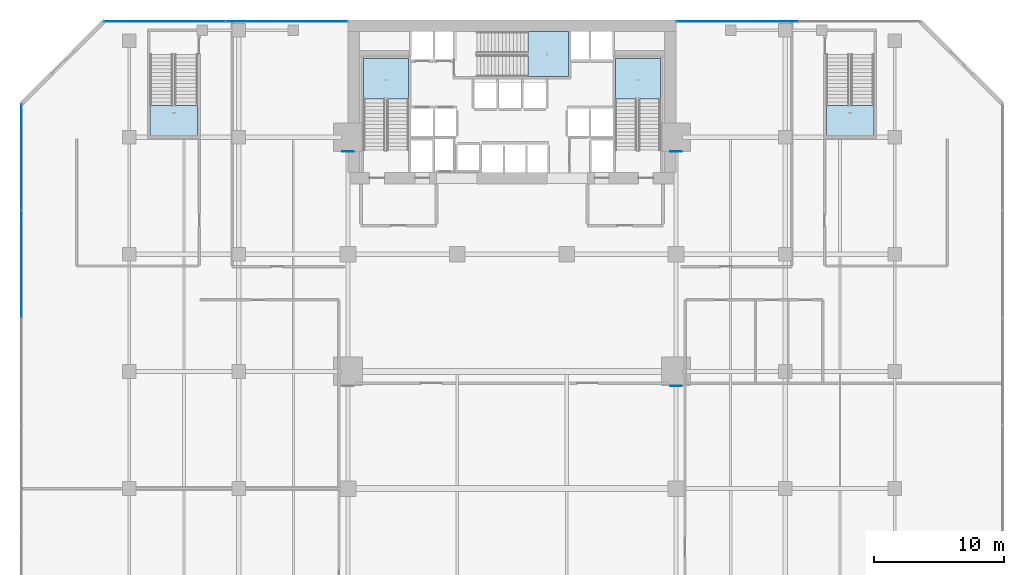
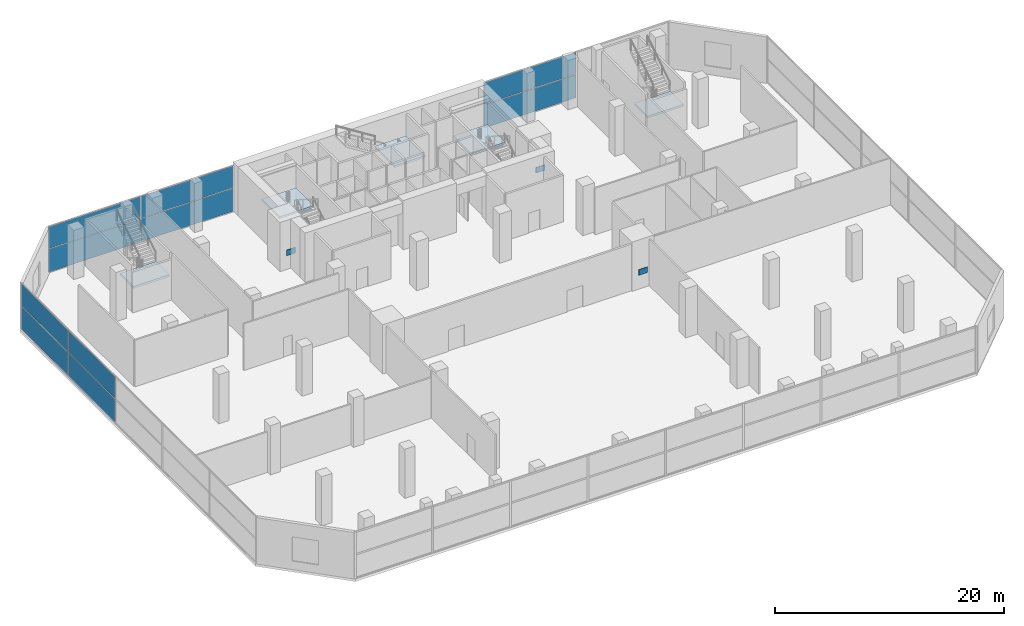
# One storey, part 33 of 40: 13 plates, 5 slabs, 8 elements without a shape of their own.
"""IFC4 building model written with IfcOpenShell, lengths in metres."""

from ifc_helpers import new_model, si_unit, direction, frame, origin, origin_2d, place, context, subcontext, project, spatial, polyline, rectangle, outline, extrude, material, layer, layer_set, type_object, element, aggregate, save


model = new_model("IFC4")

# Units and contexts
model_context = context("Model", 3, precision=1e-05, world=origin(), true_north=direction((0.0, 1.0)))
body_context = subcontext(model_context, "Body", "Model", "MODEL_VIEW")
ifc_project = project(units=[si_unit("LENGTHUNIT", "METRE"), si_unit("AREAUNIT", "SQUARE_METRE"), si_unit("VOLUMEUNIT", "CUBIC_METRE"), si_unit("PLANEANGLEUNIT", "RADIAN"), si_unit("MASSUNIT", "GRAM", prefix="KILO")], contexts=[model_context])

# Site, building, storey
site_placement = place(None, origin())
site = spatial("IfcSite", under=ifc_project, at=site_placement, CompositionType="ELEMENT")
building_placement = place(site_placement, origin())
building = spatial("IfcBuilding", under=site, at=building_placement, Name="Maruvema Waterfront Hotel and Observation Tower", CompositionType="ELEMENT")
storey_placement = place(building_placement, frame((0.0, 0.0, 5.60009765625)))
storey = spatial("IfcBuildingStorey", under=building, at=storey_placement, Name="L01", CompositionType="ELEMENT", Elevation=5.60009765625)

# Curtain wall, plates
ifc_material_1 = material(Name="Anodised bronze aluminium and solar-control low-E IGU", Category="aluminium")
ifc_layer_1 = layer(ifc_material_1, 0.159912109375, Name="Podium Waterfront Storefront Curtain Wall System CW-01")
ifc_layer_set_1 = layer_set([ifc_layer_1], Name="Anodised bronze aluminium and solar-control low-E IGU")
curtain_wall_type = type_object("IfcCurtainWallType", Name="Podium Waterfront Storefront Curtain Wall System CW-01", PredefinedType="USERDEFINED", material=ifc_layer_set_1)
curtain_wall_1_placement = place(storey_placement, origin())
curtain_wall_1 = element("IfcCurtainWall", 1, at=curtain_wall_1_placement, inside=storey, type_object=curtain_wall_type, Name="L01 Curtain Wall CW-L01-NE", ObjectType="UNITISED CURTAIN WALL", PredefinedType="USERDEFINED")
ifc_material_2 = material(Name="Laminated low-E solar-control double glazing", Category="glass")
ifc_layer_2 = layer(ifc_material_2, 0.035888671875, Name="Solar Control Double-Glazed Curtain Panel 36 mm")
ifc_layer_set_2 = layer_set([ifc_layer_2], Name="Laminated low-E solar-control double glazing")
plate_type_1 = type_object("IfcPlateType", Name="Solar Control Double-Glazed Curtain Panel 36 mm", PredefinedType="CURTAIN_PANEL", material=ifc_layer_set_2)
plate_1_placement = place(storey_placement, frame((55.114990234375, 53.8798828125, 0.059814453125), z_axis=(0.0, 0.0, 1.0), x_axis=(-1.0, 0.0, 0.0)))
plate_1 = element("IfcPlate", 2, at=plate_1_placement, type_object=plate_type_1, Name="CW-01 panel 2.1", PredefinedType="CURTAIN_PANEL", context=body_context, shape_type="SweptSolid", body=[
    extrude(rectangle(XDim=9.31005859375, YDim=0.028076171875, at=origin_2d()), origin(), (0.0, 0.0, 1.0), 2.4599609375),
])
plate_2_placement = place(storey_placement, frame((55.114990234375, 53.8798828125, 2.579833984375), z_axis=(0.0, 0.0, 1.0), x_axis=(-1.0, 0.0, 0.0)))
plate_2 = element("IfcPlate", 3, at=plate_2_placement, type_object=plate_type_1, Name="CW-01 panel 2.2", PredefinedType="CURTAIN_PANEL", context=body_context, shape_type="SweptSolid", body=[
    extrude(rectangle(XDim=9.31005859375, YDim=0.028076171875, at=origin_2d()), origin(), (0.0, 0.0, 1.0), 2.330078125),
])
aggregate(curtain_wall_1, [plate_1, plate_2])

curtain_wall_2_placement = place(storey_placement, origin())
curtain_wall_2 = element("IfcCurtainWall", 4, at=curtain_wall_2_placement, inside=storey, type_object=curtain_wall_type, Name="L01 Curtain Wall CW-L01-NW", ObjectType="UNITISED CURTAIN WALL", PredefinedType="USERDEFINED")
plate_3_placement = place(storey_placement, frame((20.485107421875, 53.8798828125, 0.059814453125), z_axis=(0.0, 0.0, 1.0), x_axis=(-1.0, 0.0, 0.0)))
plate_3 = element("IfcPlate", 5, at=plate_3_placement, type_object=plate_type_1, Name="CW-01 panel 1.1", PredefinedType="CURTAIN_PANEL", context=body_context, shape_type="SweptSolid", body=[
    extrude(rectangle(XDim=9.31005859375, YDim=0.028076171875, at=origin_2d()), origin(), (0.0, 0.0, 1.0), 2.4599609375),
])
plate_4_placement = place(storey_placement, frame((20.485107421875, 53.8798828125, 2.579833984375), z_axis=(0.0, 0.0, 1.0), x_axis=(-1.0, 0.0, 0.0)))
plate_4 = element("IfcPlate", 6, at=plate_4_placement, type_object=plate_type_1, Name="CW-01 panel 1.2", PredefinedType="CURTAIN_PANEL", context=body_context, shape_type="SweptSolid", body=[
    extrude(rectangle(XDim=9.31005859375, YDim=0.028076171875, at=origin_2d()), origin(), (0.0, 0.0, 1.0), 2.330078125),
])
plate_5_placement = place(storey_placement, frame((11.114990234375, 53.8798828125, 0.059814453125), z_axis=(0.0, 0.0, 1.0), x_axis=(-1.0, 0.0, 0.0)))
plate_5 = element("IfcPlate", 7, at=plate_5_placement, type_object=plate_type_1, Name="CW-01 panel 2.1", PredefinedType="CURTAIN_PANEL", context=body_context, shape_type="SweptSolid", body=[
    extrude(rectangle(XDim=9.31005859375, YDim=0.028076171875, at=origin_2d()), origin(), (0.0, 0.0, 1.0), 2.4599609375),
])
plate_6_placement = place(storey_placement, frame((11.114990234375, 53.8798828125, 2.579833984375), z_axis=(0.0, 0.0, 1.0), x_axis=(-1.0, 0.0, 0.0)))
plate_6 = element("IfcPlate", 8, at=plate_6_placement, type_object=plate_type_1, Name="CW-01 panel 2.2", PredefinedType="CURTAIN_PANEL", context=body_context, shape_type="SweptSolid", body=[
    extrude(rectangle(XDim=9.31005859375, YDim=0.028076171875, at=origin_2d()), origin(), (0.0, 0.0, 1.0), 2.330078125),
])
aggregate(curtain_wall_2, [plate_3, plate_4, plate_5, plate_6])

curtain_wall_3_placement = place(storey_placement, origin())
curtain_wall_3 = element("IfcCurtainWall", 9, at=curtain_wall_3_placement, inside=storey, type_object=curtain_wall_type, Name="L01 Curtain Wall CW-L01-W", ObjectType="UNITISED CURTAIN WALL", PredefinedType="USERDEFINED")
plate_7_placement = place(storey_placement, frame((0.1201171875, 43.465087890625, 0.059814453125), z_axis=(0.0, 0.0, 1.0), x_axis=(0.0, -1.0, 0.0)))
plate_7 = element("IfcPlate", 10, at=plate_7_placement, type_object=plate_type_1, Name="CW-01 panel 1.1", PredefinedType="CURTAIN_PANEL", context=body_context, shape_type="SweptSolid", body=[
    extrude(rectangle(XDim=8.14990234375, YDim=0.028076171875, at=origin_2d()), origin(), (0.0, 0.0, 1.0), 2.4599609375),
])
plate_8_placement = place(storey_placement, frame((0.1201171875, 43.465087890625, 2.579833984375), z_axis=(0.0, 0.0, 1.0), x_axis=(0.0, -1.0, 0.0)))
plate_8 = element("IfcPlate", 11, at=plate_8_placement, type_object=plate_type_1, Name="CW-01 panel 1.2", PredefinedType="CURTAIN_PANEL", context=body_context, shape_type="SweptSolid", body=[
    extrude(rectangle(XDim=8.14990234375, YDim=0.028076171875, at=origin_2d()), origin(), (0.0, 0.0, 1.0), 2.330078125),
])
plate_9_placement = place(storey_placement, frame((0.1201171875, 35.239990234375, 0.059814453125), z_axis=(0.0, 0.0, 1.0), x_axis=(0.0, -1.0, 0.0)))
plate_9 = element("IfcPlate", 12, at=plate_9_placement, type_object=plate_type_1, Name="CW-01 panel 2.1", PredefinedType="CURTAIN_PANEL", context=body_context, shape_type="SweptSolid", body=[
    extrude(rectangle(XDim=8.179931640625, YDim=0.028076171875, at=origin_2d()), origin(), (0.0, 0.0, 1.0), 2.4599609375),
])
plate_10_placement = place(storey_placement, frame((0.1201171875, 35.239990234375, 2.579833984375), z_axis=(0.0, 0.0, 1.0), x_axis=(0.0, -1.0, 0.0)))
plate_10 = element("IfcPlate", 13, at=plate_10_placement, type_object=plate_type_1, Name="CW-01 panel 2.2", PredefinedType="CURTAIN_PANEL", context=body_context, shape_type="SweptSolid", body=[
    extrude(rectangle(XDim=8.179931640625, YDim=0.028076171875, at=origin_2d()), origin(), (0.0, 0.0, 1.0), 2.330078125),
])
aggregate(curtain_wall_3, [plate_7, plate_8, plate_9, plate_10])

# Stair, slab
ifc_material_3 = material(Name="Concrete C50/60", Category="concrete")
stair_type_1 = type_object("IfcStairType", Name="Dogleg Exit Stair 1650 mm (30R x 175.0 mm)", PredefinedType="HALF_TURN_STAIR", material=ifc_material_3)
stair_1_placement = place(storey_placement, origin())
stair_1 = element("IfcStair", 14, at=stair_1_placement, inside=storey, type_object=stair_type_1, Name="L01 ST-01", PredefinedType="HALF_TURN_STAIR")
ifc_material_4 = material(Name="Concrete C50/60", Category="concrete")
ifc_layer_3 = layer(ifc_material_4, 0.219970703125, Name="Stair Concrete Landing Slab 220 mm")
ifc_layer_set_3 = layer_set([ifc_layer_3], Name="Concrete C50/60")
slab_type = type_object("IfcSlabType", Name="Stair Concrete Landing Slab 220 mm", PredefinedType="LANDING", material=ifc_layer_set_3)
slab_1_placement = place(storey_placement, frame((0.0, 0.0, 2.40478515625)))
slab_1 = element("IfcSlab", 15, at=slab_1_placement, type_object=slab_type, Name="ST-01 landing 1", PredefinedType="LANDING", context=body_context, shape_type="SweptSolid", body=[
    extrude(outline(polyline([(29.85009765625, 47.919921875), (29.85009765625, 51.050048828125), (26.39990234375, 51.050048828125), (26.39990234375, 47.919921875), (29.85009765625, 47.919921875)])), origin(), (0.0, 0.0, 1.0), 0.22021484375),
])
aggregate(stair_1, [slab_1])

stair_2_placement = place(storey_placement, origin())
stair_2 = element("IfcStair", 16, at=stair_2_placement, inside=storey, type_object=stair_type_1, Name="L01 ST-02", PredefinedType="HALF_TURN_STAIR")
slab_2_placement = place(storey_placement, frame((0.0, 0.0, 2.40478515625)))
slab_2 = element("IfcSlab", 17, at=slab_2_placement, type_object=slab_type, Name="ST-02 landing 1", PredefinedType="LANDING", context=body_context, shape_type="SweptSolid", body=[
    extrude(outline(polyline([(39.02001953125, 49.64990234375), (42.14990234375, 49.64990234375), (42.14990234375, 53.10009765625), (39.02001953125, 53.10009765625), (39.02001953125, 49.64990234375)])), origin(), (0.0, 0.0, 1.0), 0.22021484375),
])
aggregate(stair_2, [slab_2])

stair_3_placement = place(storey_placement, origin())
stair_3 = element("IfcStair", 18, at=stair_3_placement, inside=storey, type_object=stair_type_1, Name="L01 ST-03", PredefinedType="HALF_TURN_STAIR")
slab_3_placement = place(storey_placement, frame((0.0, 0.0, 2.40478515625)))
slab_3 = element("IfcSlab", 19, at=slab_3_placement, type_object=slab_type, Name="ST-03 landing 1", PredefinedType="LANDING", context=body_context, shape_type="SweptSolid", body=[
    extrude(outline(polyline([(49.199951171875, 47.919921875), (49.199951171875, 51.050048828125), (45.75, 51.050048828125), (45.75, 47.919921875), (49.199951171875, 47.919921875)])), origin(), (0.0, 0.0, 1.0), 0.22021484375),
])
aggregate(stair_3, [slab_3])

ifc_material_5 = material(Name="Concrete C50/60", Category="concrete")
stair_type_2 = type_object("IfcStairType", Name="Dogleg Exit Stair 1750 mm (30R x 175.0 mm)", PredefinedType="HALF_TURN_STAIR", material=ifc_material_5)
stair_4_placement = place(storey_placement, origin())
stair_4 = element("IfcStair", 20, at=stair_4_placement, inside=storey, type_object=stair_type_2, Name="L01 ST-04", PredefinedType="HALF_TURN_STAIR")
slab_4_placement = place(storey_placement, frame((0.0, 0.0, 2.40478515625)))
slab_4 = element("IfcSlab", 21, at=slab_4_placement, type_object=slab_type, Name="ST-04 landing 1", PredefinedType="LANDING", context=body_context, shape_type="SweptSolid", body=[
    extrude(outline(polyline([(10.0, 47.429931640625), (10.0, 45.10009765625), (13.64990234375, 45.10009765625), (13.64990234375, 47.429931640625), (10.0, 47.429931640625)])), origin(), (0.0, 0.0, 1.0), 0.22021484375),
])
aggregate(stair_4, [slab_4])

stair_5_placement = place(storey_placement, origin())
stair_5 = element("IfcStair", 22, at=stair_5_placement, inside=storey, type_object=stair_type_2, Name="L01 ST-05", PredefinedType="HALF_TURN_STAIR")
slab_5_placement = place(storey_placement, frame((0.0, 0.0, 2.40478515625)))
slab_5 = element("IfcSlab", 23, at=slab_5_placement, type_object=slab_type, Name="ST-05 landing 1", PredefinedType="LANDING", context=body_context, shape_type="SweptSolid", body=[
    extrude(outline(polyline([(61.949951171875, 47.429931640625), (61.949951171875, 45.10009765625), (65.60009765625, 45.10009765625), (65.60009765625, 47.429931640625), (61.949951171875, 47.429931640625)])), origin(), (0.0, 0.0, 1.0), 0.22021484375),
])
aggregate(stair_5, [slab_5])

# Plates
ifc_material_6 = material(Name="Steel ABNT NBR 7007 AR 415 (ASTM A572 Grade 50)", Category="steel")
ifc_layer_4 = layer(ifc_material_6, 0.0400390625, Name="Structural Truss Node Gusset Plate 40 mm")
ifc_layer_set_4 = layer_set([ifc_layer_4], Name="Steel ABNT NBR 7007 AR 415 (ASTM A572 Grade 50)")
plate_type_2 = type_object("IfcPlateType", Name="Structural Truss Node Gusset Plate 40 mm", PredefinedType="USERDEFINED", material=ifc_layer_set_4)
for number, where, z_axis, x_axis, name in (
    (24, (50.39990234375, 25.8798828125, 1.499755859375), (0.0, 0.0, 1.0), (1.0, 0.0, 0.0), "L01 MC-02 Moment Frame Continuity Gusset Plate"),
    (25, (25.199951171875, 43.8798828125, 1.499755859375), (0.0, 0.0, 1.0), (1.0, 0.0, 0.0), "L01 MC-03 Moment Frame Continuity Gusset Plate"),
    (26, (50.39990234375, 43.8798828125, 1.499755859375), (0.0, 0.0, 1.0), (1.0, 0.0, 0.0), "L01 MC-04 Moment Frame Continuity Gusset Plate"),
):
    element("IfcPlate", number, at=place(storey_placement, frame(where, z_axis=z_axis, x_axis=x_axis)), inside=storey, type_object=plate_type_2, Name=name, ObjectType="GUSSET_PLATE", PredefinedType="USERDEFINED", context=body_context, shape_type="SweptSolid", body=[
        extrude(rectangle(XDim=0.89990234375, YDim=0.0400390625, at=origin_2d()), origin(), (0.0, 0.0, 1.0), 0.60009765625),
    ])

save(model, "model.ifc")
